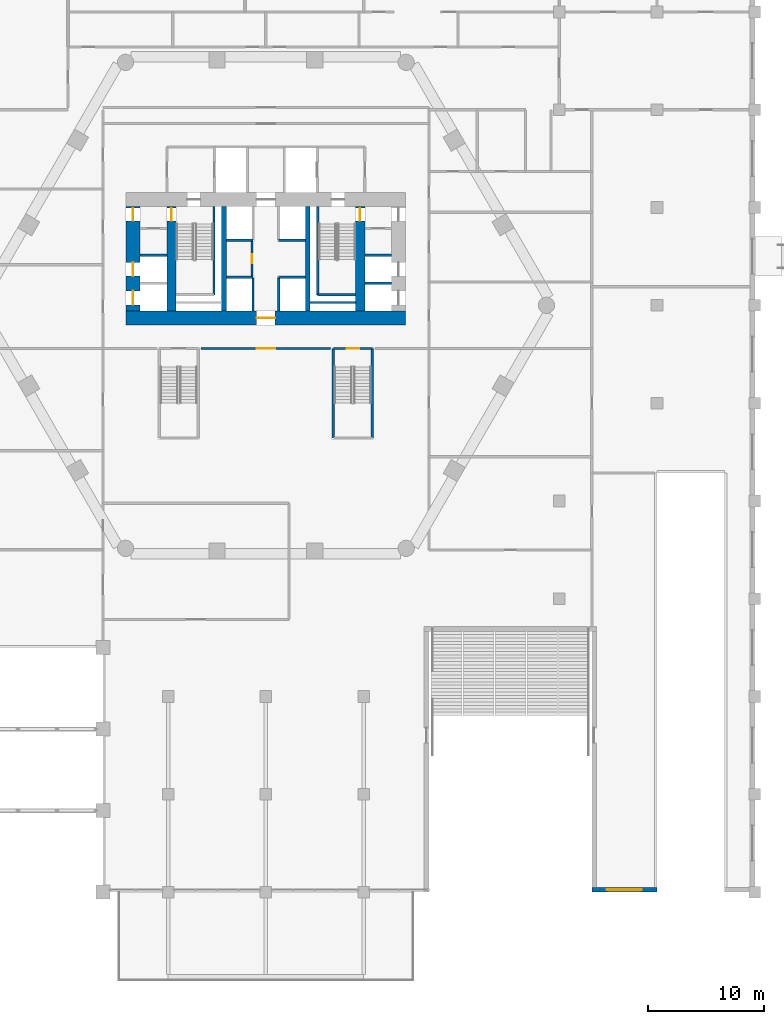
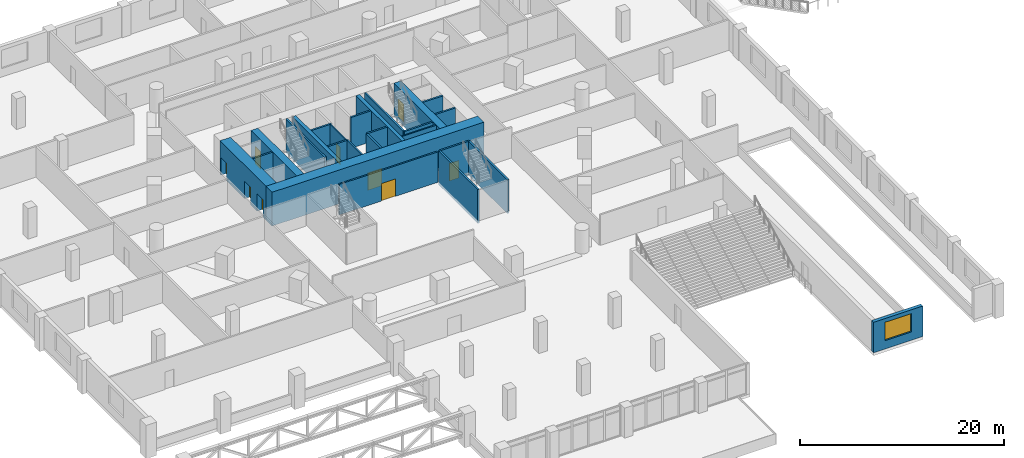
# One storey, part 13 of 24: 25 walls, 9 doors, 1 window, 10 openings.
"""IFC4 building model written with IfcOpenShell, lengths in metres."""

import ifcopenshell
import ifcopenshell.guid

model = None  # the IFC model being written
_history = None  # IfcOwnerHistory: only IFC2X3 demands one
_inside = {}  # id of a spatial element -> (the spatial element, [elements in it])
_under = {}  # id of a project, library or spatial element -> (it, [spatial elements below it])
_declared = {}  # id of a project -> (the project, [libraries it declares])
_typed = {}  # id of a type object -> (the type object, [elements of that type])
_made_of = {}  # id of a material, layer set ... -> (it, [elements and type objects made of it])


def new_model(schema):
    """Start an empty IFC model of exactly this schema.

    Asked for "IFC4X3", IfcOpenShell would pick the latest addendum, in which some entities
    have other attributes; the version numbers below select the first issue.
    IFC2X3 requires an IfcOwnerHistory on every rooted entity: one is made here for all.
    """
    global model, _history
    if schema == "IFC4X3":
        model = ifcopenshell.file(schema_version=(4, 3, 0, 0))
    else:
        model = ifcopenshell.file(schema=schema)
    _inside.clear()
    _under.clear()
    _declared.clear()
    _typed.clear()
    _made_of.clear()
    _history = None
    if model.schema == "IFC2X3":
        org = make("IfcOrganization", Name="unknown")
        user = make(
            "IfcPersonAndOrganization",
            ThePerson=make("IfcPerson", FamilyName="unknown"),
            TheOrganization=org,
        )
        app = make(
            "IfcApplication",
            ApplicationDeveloper=org,
            Version="unknown",
            ApplicationFullName="unknown",
            ApplicationIdentifier="unknown",
        )
        _history = make(
            "IfcOwnerHistory",
            OwningUser=user,
            OwningApplication=app,
            ChangeAction="ADDED",
            CreationDate=0,
        )
    return model


def make(cls, **values):
    """One entity of the class cls with the attributes given. An attribute that is None is left unset."""
    return model.create_entity(
        cls, **{name: value for name, value in values.items() if value is not None}
    )


def rooted(cls, **values):
    """An entity with a GlobalId (a new one), such as an element, a storey or a relation."""
    return make(cls, GlobalId=ifcopenshell.guid.new(), OwnerHistory=_history, **values)


def si_unit(unit_type, name, prefix=None):
    """IfcSIUnit, for example si_unit("LENGTHUNIT", "METRE", prefix="MILLI")."""
    return make("IfcSIUnit", UnitType=unit_type, Prefix=prefix, Name=name)


def assignment(units):
    """IfcUnitAssignment: the units of a project."""
    return None if units is None else make("IfcUnitAssignment", Units=units)


def point(xyz):
    """IfcCartesianPoint."""
    return None if xyz is None else make("IfcCartesianPoint", Coordinates=xyz)


def direction(xyz):
    """IfcDirection."""
    return None if xyz is None else make("IfcDirection", DirectionRatios=xyz)


def frame(location, z_axis=None, x_axis=None):
    """IfcAxis2Placement3D, a coordinate frame: its origin and axes. An axis left out is left unset."""
    return make(
        "IfcAxis2Placement3D",
        Location=point(location),
        Axis=direction(z_axis),
        RefDirection=direction(x_axis),
    )


def frame_2d(location, x_axis=None):
    """IfcAxis2Placement2D, a coordinate frame in the plane: its origin and x axis."""
    return make(
        "IfcAxis2Placement2D", Location=point(location), RefDirection=direction(x_axis)
    )


def origin():
    """The frame at (0, 0, 0) with its axes left unset."""
    return frame((0.0, 0.0, 0.0))


def place(relative_to, where):
    """IfcLocalPlacement: puts the frame where relative to a parent placement (None: the world)."""
    return make(
        "IfcLocalPlacement", PlacementRelTo=relative_to, RelativePlacement=where
    )


def context(
    kind, dimensions, precision=None, world=None, true_north=None, identifier=None
):
    """IfcGeometricRepresentationContext, for example the 3D "Model" context."""
    return make(
        "IfcGeometricRepresentationContext",
        ContextIdentifier=identifier,
        ContextType=kind,
        CoordinateSpaceDimension=dimensions,
        Precision=precision,
        WorldCoordinateSystem=world,
        TrueNorth=true_north,
    )


def subcontext(parent, identifier, kind, view, scale=None):
    """IfcGeometricRepresentationSubContext, for example "Body" below "Model"."""
    return make(
        "IfcGeometricRepresentationSubContext",
        ContextIdentifier=identifier,
        ContextType=kind,
        ParentContext=parent,
        TargetScale=scale,
        TargetView=view,
    )


def project(units=None, contexts=None):
    """IfcProject with its units and contexts."""
    return rooted(
        "IfcProject",
        Name="project",
        RepresentationContexts=contexts,
        UnitsInContext=assignment(units),
    )


def spatial(cls, under=None, at=None, **own):
    """A site, building, storey or space (cls), placed at a placement, below another one or the project."""
    s = rooted(cls, ObjectPlacement=at, **own)
    if under is not None:
        _under.setdefault(under.id(), (under, []))[1].append(s)
    return s


def profile(cls, at=None, kind="AREA", **sizes):
    """A parametric profile (cls). Its sizes go by their IFC names, for example OverallWidth=200.0."""
    return make(cls, ProfileType=kind, Position=at, **sizes)


def rectangle(**sizes):
    """IfcRectangleProfileDef."""
    return profile("IfcRectangleProfileDef", **sizes)


def extrude(swept, where, along, depth):
    """IfcExtrudedAreaSolid: the profile swept, set in the frame where, extruded along a direction by depth."""
    return make(
        "IfcExtrudedAreaSolid",
        SweptArea=swept,
        Position=where,
        ExtrudedDirection=direction(along),
        Depth=depth,
    )


def shape(context_of_items, identifier, shape_type, items):
    """IfcShapeRepresentation: the items that make up one representation, for example the "Body"."""
    return make(
        "IfcShapeRepresentation",
        ContextOfItems=context_of_items,
        RepresentationIdentifier=identifier,
        RepresentationType=shape_type,
        Items=items,
    )


def material(Name=None, Category=None):
    """IfcMaterial."""
    return make("IfcMaterial", Name=Name, Category=Category)


def layer(
    of_material, thickness, ventilated=None, Name=None, Category=None, Priority=None
):
    """IfcMaterialLayer: one layer of a wall or slab, of a material (None: an air gap)."""
    return make(
        "IfcMaterialLayer",
        Material=of_material,
        LayerThickness=thickness,
        IsVentilated=ventilated,
        Name=Name,
        Category=Category,
        Priority=Priority,
    )


def layer_set(layers, Name=None):
    """IfcMaterialLayerSet."""
    return make("IfcMaterialLayerSet", MaterialLayers=layers, LayerSetName=Name)


def made_of(thing, what):
    """Note that an element or type object is made of a material, layer set ...; save() writes the relation."""
    if what is not None:
        _made_of.setdefault(what.id(), (what, []))[1].append(thing)
    return thing


def type_object(cls, material=None, **own):
    """A type object (cls), such as IfcWallType, which elements share."""
    return made_of(rooted(cls, **own), material)


def element(
    cls,
    number,
    at=None,
    inside=None,
    cuts=None,
    type_object=None,
    material=None,
    context=None,
    identifier="Body",
    shape_type=None,
    held_by="IfcProductDefinitionShape",
    body=None,
    shapes=None,
    **own,
):
    """One element of the class cls, such as IfcWall. Its Tag is "e" and its number.

    at: its placement. inside: the storey or other place that contains it. cuts: it is an
    opening in that element (IfcRelVoidsElement). A single representation is given by context,
    identifier, shape_type and body (its items); several are given by shapes. held_by: the class
    of the entity that holds the representations. save() writes the other relations.
    """
    e = rooted(cls, Tag="e%d" % number, ObjectPlacement=at, **own)
    if body is not None:
        shapes = [shape(context, identifier, shape_type, body)]
    if shapes is not None:
        e.Representation = make(held_by, Representations=shapes)
    if inside is not None:
        _inside.setdefault(inside.id(), (inside, []))[1].append(e)
    if cuts is not None:
        rooted(
            "IfcRelVoidsElement", RelatingBuildingElement=cuts, RelatedOpeningElement=e
        )
    if type_object is not None:
        _typed.setdefault(type_object.id(), (type_object, []))[1].append(e)
    return made_of(e, material)


def fill(opening, filler):
    """IfcRelFillsElement: the door or window that sits in an opening."""
    return rooted(
        "IfcRelFillsElement",
        RelatingOpeningElement=opening,
        RelatedBuildingElement=filler,
    )


def aggregate(whole, parts):
    """IfcRelAggregates: a whole, such as a stair, and the parts it consists of."""
    return rooted("IfcRelAggregates", RelatingObject=whole, RelatedObjects=parts)


def save(model, path):
    """Write the relations noted so far, then the file.

    IfcRelAggregates (storeys below a building ...), IfcRelContainedInSpatialStructure (elements
    in a storey), IfcRelDefinesByType, IfcRelAssociatesMaterial and IfcRelDeclares: one each for
    every whole, place, type object, material and project.
    """
    for whole, parts in _under.values():
        aggregate(whole, parts)
    for where, things in _inside.values():
        rooted(
            "IfcRelContainedInSpatialStructure",
            RelatedElements=things,
            RelatingStructure=where,
        )
    for kind, things in _typed.values():
        rooted("IfcRelDefinesByType", RelatedObjects=things, RelatingType=kind)
    for what, things in _made_of.values():
        rooted("IfcRelAssociatesMaterial", RelatedObjects=things, RelatingMaterial=what)
    for by, libraries in _declared.values():
        rooted("IfcRelDeclares", RelatingContext=by, RelatedDefinitions=libraries)
    model.write(path)


model = new_model("IFC4")

# Units and contexts
model_context = context("Model", 3, precision=1e-05, world=origin(), true_north=direction((0.0, 1.0)))
body_context = subcontext(model_context, "Body", "Model", "MODEL_VIEW")
ifc_project = project(units=[si_unit("LENGTHUNIT", "METRE"), si_unit("AREAUNIT", "SQUARE_METRE"), si_unit("VOLUMEUNIT", "CUBIC_METRE"), si_unit("PLANEANGLEUNIT", "RADIAN"), si_unit("MASSUNIT", "GRAM", prefix="KILO")], contexts=[model_context])

# Site, building, storey
site_placement = place(None, origin())
site = spatial("IfcSite", under=ifc_project, at=site_placement, CompositionType="ELEMENT")
building_placement = place(site_placement, origin())
building = spatial("IfcBuilding", under=site, at=building_placement, Name="Ostrander Bayou Hotel Tower", CompositionType="ELEMENT")
storey_placement = place(building_placement, frame((0.0, 0.0, 6.0)))
storey = spatial("IfcBuildingStorey", under=building, at=storey_placement, Name="L01", CompositionType="ELEMENT", Elevation=6.0)

# Wall, opening, door
ifc_material_1 = material(Name="Concrete f'c 70 MPa", Category="concrete")
ifc_layer_1 = layer(ifc_material_1, 1.199951171875)
ifc_layer_set_1 = layer_set([ifc_layer_1], Name="CW1 core wall 1200 mm f'c 70 MPa")
wall_type_1 = type_object("IfcWallType", Name="CW1 core wall 1200 mm f'c 70 MPa", PredefinedType="SHEAR", material=ifc_layer_set_1)
wall_1_placement = place(storey_placement, frame((-12.0, -1.10009765625, -0.35009765625), z_axis=(0.0, 0.0, 1.0), x_axis=(1.0, 0.0, 0.0)))
wall_1 = element("IfcWall", 1, at=wall_1_placement, inside=storey, type_object=wall_type_1, Name="CW1 L01 S", PredefinedType="SHEAR", context=body_context, shape_type="SweptSolid", body=[
    extrude(rectangle(XDim=24.0, YDim=1.199951171875, at=frame_2d((12.0, 0.0))), origin(), (0.0, 0.0, 1.0), 4.050048828125),
])
opening_1_placement = place(wall_1_placement, frame((11.199951171875, 0.0, 0.0)))
opening_1 = element("IfcOpeningElement", 2, at=opening_1_placement, cuts=wall_1, Name="Opening T01-001", PredefinedType="OPENING", context=body_context, shape_type="SweptSolid", body=[
    extrude(rectangle(XDim=1.60009765625, YDim=2.10009765625, at=frame_2d((0.800048828125, 1.050048828125))), frame((0.0, 0.60009765625, 0.0), z_axis=(0.0, -1.0, 0.0), x_axis=(1.0, 0.0, 0.0)), (0.0, 0.0, 1.0), 1.199951171875),
])
ifc_material_2 = material(Name="Timber door leaf", Category="wood")
door_type_1 = type_object("IfcDoorType", Name="D13 double door 1600 x 2100 mm, 1 hour", OperationType="SINGLE_SWING_LEFT", PredefinedType="DOOR", material=ifc_material_2)
door_1_placement = place(opening_1_placement, origin())
door_1 = element("IfcDoor", 3, at=door_1_placement, inside=storey, type_object=door_type_1, Name="dr:L01:001", OperationType="DOUBLE_DOOR_SINGLE_SWING", OverallHeight=2.10009765625, OverallWidth=1.60009765625, PredefinedType="DOOR", context=body_context, shape_type="SweptSolid", body=[
    extrude(rectangle(XDim=1.60009765625, YDim=2.10009765625, at=frame_2d((0.800048828125, 1.050048828125))), frame((0.0, 0.02490234375, 0.0), z_axis=(0.0, -1.0, 0.0), x_axis=(1.0, 0.0, 0.0)), (0.0, 0.0, 1.0), 0.050048828125),
])
fill(opening_1, door_1)

# Wall, openings, doors
wall_2_placement = place(storey_placement, frame((-11.39990234375, -0.5, -0.35009765625), z_axis=(0.0, 0.0, 1.0), x_axis=(0.0, 1.0, 0.0)))
wall_2 = element("IfcWall", 4, at=wall_2_placement, inside=storey, type_object=wall_type_1, Name="CW1 L01 RW", PredefinedType="SHEAR", context=body_context, shape_type="SweptSolid", body=[
    extrude(rectangle(XDim=9.0, YDim=1.199951171875, at=frame_2d((4.5, 0.0))), origin(), (0.0, 0.0, 1.0), 4.050048828125),
])
opening_2_placement = place(wall_2_placement, frame((7.75, 0.0, 0.0)))
opening_2 = element("IfcOpeningElement", 5, at=opening_2_placement, cuts=wall_2, Name="Opening T01-015", PredefinedType="OPENING", context=body_context, shape_type="SweptSolid", body=[
    extrude(rectangle(XDim=1.10009765625, YDim=2.10009765625, at=frame_2d((0.550048828125, 1.050048828125))), frame((0.0, 0.60009765625, 0.0), z_axis=(0.0, -1.0, 0.0), x_axis=(1.0, 0.0, 0.0)), (0.0, 0.0, 1.0), 1.199951171875),
])
opening_3_placement = place(wall_2_placement, frame((0.550048828125, 0.0, 0.0)))
opening_3 = element("IfcOpeningElement", 6, at=opening_3_placement, cuts=wall_2, Name="Opening T01-016", PredefinedType="OPENING", context=body_context, shape_type="SweptSolid", body=[
    extrude(rectangle(XDim=1.199951171875, YDim=2.10009765625, at=frame_2d((0.60009765625, 1.050048828125))), frame((0.0, 0.60009765625, 0.0), z_axis=(0.0, -1.0, 0.0), x_axis=(1.0, 0.0, 0.0)), (0.0, 0.0, 1.0), 1.199951171875),
])
opening_4_placement = place(wall_2_placement, frame((3.0, 0.0, 0.0)))
opening_4 = element("IfcOpeningElement", 7, at=opening_4_placement, cuts=wall_2, Name="Opening T01-017", PredefinedType="OPENING", context=body_context, shape_type="SweptSolid", body=[
    extrude(rectangle(XDim=1.199951171875, YDim=2.10009765625, at=frame_2d((0.60009765625, 1.050048828125))), frame((0.0, 0.60009765625, 0.0), z_axis=(0.0, -1.0, 0.0), x_axis=(1.0, 0.0, 0.0)), (0.0, 0.0, 1.0), 1.199951171875),
])
ifc_material_3 = material(Name="Timber door leaf", Category="wood")
door_type_2 = type_object("IfcDoorType", Name="D5 stair door 1100 x 2100 mm, 90 minute", OperationType="SINGLE_SWING_LEFT", PredefinedType="DOOR", material=ifc_material_3)
door_2_placement = place(opening_2_placement, origin())
door_2 = element("IfcDoor", 8, at=door_2_placement, inside=storey, type_object=door_type_2, Name="dr:L01:015", OperationType="SINGLE_SWING_LEFT", OverallHeight=2.10009765625, OverallWidth=1.10009765625, PredefinedType="DOOR", context=body_context, shape_type="SweptSolid", body=[
    extrude(rectangle(XDim=1.10009765625, YDim=2.10009765625, at=frame_2d((0.550048828125, 1.050048828125))), frame((0.0, 0.02490234375, 0.0), z_axis=(0.0, -1.0, 0.0), x_axis=(1.0, 0.0, 0.0)), (0.0, 0.0, 1.0), 0.050048828125),
])
fill(opening_2, door_2)
ifc_material_4 = material(Name="Stainless steel sliding door", Category="steel")
door_type_3 = type_object("IfcDoorType", Name="LD1 lift landing door 1200 x 2100 mm", OperationType="SINGLE_SWING_LEFT", PredefinedType="DOOR", material=ifc_material_4)
door_3_placement = place(opening_3_placement, origin())
door_3 = element("IfcDoor", 9, at=door_3_placement, inside=storey, type_object=door_type_3, Name="dr:L01:016", OperationType="SLIDING_TO_LEFT", OverallHeight=2.10009765625, OverallWidth=1.199951171875, PredefinedType="DOOR", context=body_context, shape_type="SweptSolid", body=[
    extrude(rectangle(XDim=1.199951171875, YDim=2.10009765625, at=frame_2d((0.60009765625, 1.050048828125))), frame((0.0, 0.02490234375, 0.0), z_axis=(0.0, -1.0, 0.0), x_axis=(1.0, 0.0, 0.0)), (0.0, 0.0, 1.0), 0.050048828125),
])
fill(opening_3, door_3)
door_4_placement = place(opening_4_placement, origin())
door_4 = element("IfcDoor", 10, at=door_4_placement, inside=storey, type_object=door_type_3, Name="dr:L01:017", OperationType="SLIDING_TO_LEFT", OverallHeight=2.10009765625, OverallWidth=1.199951171875, PredefinedType="DOOR", context=body_context, shape_type="SweptSolid", body=[
    extrude(rectangle(XDim=1.199951171875, YDim=2.10009765625, at=frame_2d((0.60009765625, 1.050048828125))), frame((0.0, 0.02490234375, 0.0), z_axis=(0.0, -1.0, 0.0), x_axis=(1.0, 0.0, 0.0)), (0.0, 0.0, 1.0), 0.050048828125),
])
fill(opening_4, door_4)

# Wall, opening, door
ifc_material_5 = material(Name="Concrete f'c 70 MPa", Category="concrete")
ifc_layer_2 = layer(ifc_material_5, 0.800048828125)
ifc_layer_set_2 = layer_set([ifc_layer_2], Name="CW2 core spine wall 800 mm f'c 70 MPa")
wall_type_2 = type_object("IfcWallType", Name="CW2 core spine wall 800 mm f'c 70 MPa", PredefinedType="SHEAR", material=ifc_layer_set_2)
wall_3_placement = place(storey_placement, frame((-8.10009765625, -0.5, -0.35009765625), z_axis=(0.0, 0.0, 1.0), x_axis=(0.0, 1.0, 0.0)))
wall_3 = element("IfcWall", 11, at=wall_3_placement, inside=storey, type_object=wall_type_2, Name="CW2 L01 W", PredefinedType="SHEAR", context=body_context, shape_type="SweptSolid", body=[
    extrude(rectangle(XDim=9.0, YDim=0.800048828125, at=frame_2d((4.5, 0.0))), origin(), (0.0, 0.0, 1.0), 4.050048828125),
])
opening_5_placement = place(wall_3_placement, frame((7.75, 0.0, 0.0)))
opening_5 = element("IfcOpeningElement", 12, at=opening_5_placement, cuts=wall_3, Name="Opening T01-004", PredefinedType="OPENING", context=body_context, shape_type="SweptSolid", body=[
    extrude(rectangle(XDim=1.10009765625, YDim=2.10009765625, at=frame_2d((0.550048828125, 1.050048828125))), frame((0.0, 0.39990234375, 0.0), z_axis=(0.0, -1.0, 0.0), x_axis=(1.0, 0.0, 0.0)), (0.0, 0.0, 1.0), 0.800048828125),
])
door_5_placement = place(opening_5_placement, origin())
door_5 = element("IfcDoor", 13, at=door_5_placement, inside=storey, type_object=door_type_2, Name="dr:L01:004", OperationType="SINGLE_SWING_RIGHT", OverallHeight=2.10009765625, OverallWidth=1.10009765625, PredefinedType="DOOR", context=body_context, shape_type="SweptSolid", body=[
    extrude(rectangle(XDim=1.10009765625, YDim=2.10009765625, at=frame_2d((0.550048828125, 1.050048828125))), frame((0.0, 0.02490234375, 0.0), z_axis=(0.0, -1.0, 0.0), x_axis=(1.0, 0.0, 0.0)), (0.0, 0.0, 1.0), 0.050048828125),
])
fill(opening_5, door_5)

wall_4_placement = place(storey_placement, frame((8.10009765625, -0.5, -0.35009765625), z_axis=(0.0, 0.0, 1.0), x_axis=(0.0, 1.0, 0.0)))
wall_4 = element("IfcWall", 14, at=wall_4_placement, inside=storey, type_object=wall_type_2, Name="CW2 L01 E", PredefinedType="SHEAR", context=body_context, shape_type="SweptSolid", body=[
    extrude(rectangle(XDim=9.0, YDim=0.800048828125, at=frame_2d((4.5, 0.0))), origin(), (0.0, 0.0, 1.0), 4.050048828125),
])
opening_6_placement = place(wall_4_placement, frame((7.75, 0.0, 0.0)))
opening_6 = element("IfcOpeningElement", 15, at=opening_6_placement, cuts=wall_4, Name="Opening T01-006", PredefinedType="OPENING", context=body_context, shape_type="SweptSolid", body=[
    extrude(rectangle(XDim=1.10009765625, YDim=2.10009765625, at=frame_2d((0.550048828125, 1.050048828125))), frame((0.0, 0.39990234375, 0.0), z_axis=(0.0, -1.0, 0.0), x_axis=(1.0, 0.0, 0.0)), (0.0, 0.0, 1.0), 0.800048828125),
])
door_6_placement = place(opening_6_placement, origin())
door_6 = element("IfcDoor", 16, at=door_6_placement, inside=storey, type_object=door_type_2, Name="dr:L01:006", OperationType="SINGLE_SWING_LEFT", OverallHeight=2.10009765625, OverallWidth=1.10009765625, PredefinedType="DOOR", context=body_context, shape_type="SweptSolid", body=[
    extrude(rectangle(XDim=1.10009765625, YDim=2.10009765625, at=frame_2d((0.550048828125, 1.050048828125))), frame((0.0, 0.02490234375, 0.0), z_axis=(0.0, -1.0, 0.0), x_axis=(1.0, 0.0, 0.0)), (0.0, 0.0, 1.0), 0.050048828125),
])
fill(opening_6, door_6)

# Walls
ifc_material_6 = material(Name="Concrete f'c 70 MPa", Category="concrete")
ifc_layer_3 = layer(ifc_material_6, 0.39990234375)
ifc_layer_set_3 = layer_set([ifc_layer_3], Name="CW3 core bank wall 400 mm f'c 70 MPa")
wall_type_3 = type_object("IfcWallType", Name="CW3 core bank wall 400 mm f'c 70 MPa", PredefinedType="SHEAR", material=ifc_layer_set_3)
for number, where, z_axis, x_axis, name in (
    (17, (-3.60009765625, -0.5, -0.35009765625), (0.0, 0.0, 1.0), (0.0, 1.0, 0.0), "CW3 L01 CW"),
    (18, (3.60009765625, -0.5, -0.35009765625), (0.0, 0.0, 1.0), (0.0, 1.0, 0.0), "CW3 L01 CE"),
):
    element("IfcWall", number, at=place(storey_placement, frame(where, z_axis=z_axis, x_axis=x_axis)), inside=storey, type_object=wall_type_3, Name=name, PredefinedType="SHEAR", context=body_context, shape_type="SweptSolid", body=[
        extrude(rectangle(XDim=9.0, YDim=0.39990234375, at=frame_2d((4.5, 0.0))), origin(), (0.0, 0.0, 1.0), 4.050048828125),
    ])

# Wall, opening, door
ifc_material_7 = material(Name="Gypsum board partition", Category="finish")
ifc_layer_4 = layer(ifc_material_7, 0.175048828125)
ifc_layer_set_4 = layer_set([ifc_layer_4], Name="PT4 corridor wall 175 mm, 1 hour")
wall_type_4 = type_object("IfcWallType", Name="PT4 corridor wall 175 mm, 1 hour", PredefinedType="PARTITIONING", material=ifc_layer_set_4)
wall_5_placement = place(storey_placement, frame((-5.570068359375, -3.699951171875, 0.0), z_axis=(0.0, 0.0, 1.0), x_axis=(1.0, 0.0, 0.0)))
wall_5 = element("IfcWall", 19, at=wall_5_placement, inside=storey, type_object=wall_type_4, Name="sw:L01:006", PredefinedType="PARTITIONING", context=body_context, shape_type="SweptSolid", body=[
    extrude(rectangle(XDim=11.14013671875, YDim=0.175048828125, at=frame_2d((5.570068359375, 0.0))), origin(), (0.0, 0.0, 1.0), 3.64990234375),
])
opening_7_placement = place(wall_5_placement, frame((4.77001953125, 0.0, 0.0)))
opening_7 = element("IfcOpeningElement", 20, at=opening_7_placement, cuts=wall_5, Name="Opening T01-209", PredefinedType="OPENING", context=body_context, shape_type="SweptSolid", body=[
    extrude(rectangle(XDim=1.60009765625, YDim=2.10009765625, at=frame_2d((0.800048828125, 1.050048828125))), frame((0.0, 0.08740234375, 0.0), z_axis=(0.0, -1.0, 0.0), x_axis=(1.0, 0.0, 0.0)), (0.0, 0.0, 1.0), 0.175048828125),
])
door_7_placement = place(opening_7_placement, origin())
door_7 = element("IfcDoor", 21, at=door_7_placement, inside=storey, type_object=door_type_1, Name="dr:L01:209", OperationType="DOUBLE_DOOR_SINGLE_SWING", OverallHeight=2.10009765625, OverallWidth=1.60009765625, PredefinedType="DOOR", context=body_context, shape_type="SweptSolid", body=[
    extrude(rectangle(XDim=1.60009765625, YDim=2.10009765625, at=frame_2d((0.800048828125, 1.050048828125))), frame((0.0, 0.02490234375, 0.0), z_axis=(0.0, -1.0, 0.0), x_axis=(1.0, 0.0, 0.0)), (0.0, 0.0, 1.0), 0.050048828125),
])
fill(opening_7, door_7)

# Walls
ifc_material_8 = material(Name="Masonry block", Category="masonry")
ifc_layer_5 = layer(ifc_material_8, 0.199951171875)
ifc_layer_set_5 = layer_set([ifc_layer_5], Name="PT6 lift shaft wall 200 mm masonry, 2 hour")
wall_type_5 = type_object("IfcWallType", Name="PT6 lift shaft wall 200 mm masonry, 2 hour", PredefinedType="PARTITIONING", material=ifc_layer_set_5)
for number, where, z_axis, x_axis, name in (
    (22, (-3.39990234375, 2.39990234375, 0.0), (0.0, 0.0, 1.0), (1.0, 0.0, 0.0), "cs:L01:001"),
    (23, (-3.39990234375, 5.60009765625, 0.0), (0.0, 0.0, 1.0), (1.0, 0.0, 0.0), "cs:L01:002"),
    (24, (1.10009765625, 2.39990234375, 0.0), (0.0, 0.0, 1.0), (1.0, 0.0, 0.0), "cs:L01:003"),
    (25, (1.10009765625, 5.60009765625, 0.0), (0.0, 0.0, 1.0), (1.0, 0.0, 0.0), "cs:L01:004"),
):
    element("IfcWall", number, at=place(storey_placement, frame(where, z_axis=z_axis, x_axis=x_axis)), inside=storey, type_object=wall_type_5, Name=name, PredefinedType="PARTITIONING", context=body_context, shape_type="SweptSolid", body=[
        extrude(rectangle(XDim=2.2998046875, YDim=0.199951171875, at=frame_2d((1.14990234375, 0.0))), origin(), (0.0, 0.0, 1.0), 3.699951171875),
    ])
for number, where, z_axis, x_axis, name in (
    (26, (-1.10009765625, -0.5, 0.0), (0.0, 0.0, 1.0), (0.0, 1.0, 0.0), "cs:L01:005"),
    (27, (1.10009765625, -0.5, 0.0), (0.0, 0.0, 1.0), (0.0, 1.0, 0.0), "cs:L01:006"),
):
    element("IfcWall", number, at=place(storey_placement, frame(where, z_axis=z_axis, x_axis=x_axis)), inside=storey, type_object=wall_type_5, Name=name, PredefinedType="PARTITIONING", context=body_context, shape_type="SweptSolid", body=[
        extrude(rectangle(XDim=2.89990234375, YDim=0.199951171875, at=frame_2d((1.449951171875, 0.0))), origin(), (0.0, 0.0, 1.0), 3.699951171875),
    ])
for number, where, z_axis, x_axis, name in (
    (28, (-10.800048828125, 4.300048828125, 0.0), (0.0, 0.0, 1.0), (1.0, 0.0, 0.0), "cs:L01:032"),
    (29, (8.5, 1.89990234375, 0.0), (0.0, 0.0, 1.0), (1.0, 0.0, 0.0), "cs:L01:034"),
    (30, (8.5, 4.300048828125, 0.0), (0.0, 0.0, 1.0), (1.0, 0.0, 0.0), "cs:L01:035"),
):
    element("IfcWall", number, at=place(storey_placement, frame(where, z_axis=z_axis, x_axis=x_axis)), inside=storey, type_object=wall_type_5, Name=name, PredefinedType="PARTITIONING", context=body_context, shape_type="SweptSolid", body=[
        extrude(rectangle(XDim=2.300048828125, YDim=0.199951171875, at=frame_2d((1.14990234375, 0.0))), origin(), (0.0, 0.0, 1.0), 3.699951171875),
    ])
ifc_material_9 = material(Name="Gypsum board partition", Category="finish")
ifc_layer_6 = layer(ifc_material_9, 0.14990234375)
ifc_layer_set_6 = layer_set([ifc_layer_6], Name="PT7 riser wall 150 mm, 2 hour")
wall_type_6 = type_object("IfcWallType", Name="PT7 riser wall 150 mm, 2 hour", PredefinedType="PARTITIONING", material=ifc_layer_set_6)
wall_6_placement = place(storey_placement, frame((3.800048828125, 0.25, 0.0), z_axis=(0.0, 0.0, 1.0), x_axis=(1.0, 0.0, 0.0)))
element("IfcWall", 31, at=wall_6_placement, inside=storey, type_object=wall_type_6, Name="cs:L01:014", PredefinedType="PARTITIONING", context=body_context, shape_type="SweptSolid", body=[
    extrude(rectangle(XDim=3.89990234375, YDim=0.14990234375, at=frame_2d((1.949951171875, 0.0))), origin(), (0.0, 0.0, 1.0), 3.699951171875),
])

# Wall, opening, door
wall_7_placement = place(storey_placement, frame((-1.199951171875, 2.5, 0.0), z_axis=(0.0, 0.0, 1.0), x_axis=(0.0, 1.0, 0.0)))
wall_7 = element("IfcWall", 32, at=wall_7_placement, inside=storey, type_object=wall_type_6, Name="cs:L01:030", PredefinedType="PARTITIONING", context=body_context, shape_type="SweptSolid", body=[
    extrude(rectangle(XDim=3.0, YDim=0.14990234375, at=frame_2d((1.5, 0.0))), origin(), (0.0, 0.0, 1.0), 3.699951171875),
])
opening_8_placement = place(wall_7_placement, frame((1.10009765625, 0.0, 0.0)))
opening_8 = element("IfcOpeningElement", 33, at=opening_8_placement, cuts=wall_7, Name="Opening T01-013", PredefinedType="OPENING", context=body_context, shape_type="SweptSolid", body=[
    extrude(rectangle(XDim=0.800048828125, YDim=2.10009765625, at=frame_2d((0.39990234375, 1.050048828125))), frame((0.0, 0.074951171875, 0.0), z_axis=(0.0, -1.0, 0.0), x_axis=(1.0, 0.0, 0.0)), (0.0, 0.0, 1.0), 0.14990234375),
])
ifc_material_10 = material(Name="Timber door leaf", Category="wood")
door_type_4 = type_object("IfcDoorType", Name="D6 riser door 800 x 2100 mm, 90 minute", OperationType="SINGLE_SWING_LEFT", PredefinedType="DOOR", material=ifc_material_10)
door_8_placement = place(opening_8_placement, origin())
door_8 = element("IfcDoor", 34, at=door_8_placement, inside=storey, type_object=door_type_4, Name="dr:L01:013", OperationType="SINGLE_SWING_LEFT", OverallHeight=2.10009765625, OverallWidth=0.800048828125, PredefinedType="DOOR", context=body_context, shape_type="SweptSolid", body=[
    extrude(rectangle(XDim=0.800048828125, YDim=2.10009765625, at=frame_2d((0.39990234375, 1.050048828125))), frame((0.0, 0.02490234375, 0.0), z_axis=(0.0, -1.0, 0.0), x_axis=(1.0, 0.0, 0.0)), (0.0, 0.0, 1.0), 0.050048828125),
])
fill(opening_8, door_8)

# Wall, opening, window
ifc_material_11 = material(Name="Reconstituted stone on masonry backing", Category="masonry")
ifc_layer_7 = layer(ifc_material_11, 0.39990234375)
ifc_layer_set_7 = layer_set([ifc_layer_7], Name="PW1 stone cladding wall 400 mm")
wall_type_7 = type_object("IfcWallType", Name="PW1 stone cladding wall 400 mm", PredefinedType="SOLIDWALL", material=ifc_layer_set_7)
wall_8_placement = place(storey_placement, frame((33.60009765625, -50.199951171875, 0.0), z_axis=(0.0, 0.0, 1.0), x_axis=(-1.0, 0.0, 0.0)))
wall_8 = element("IfcWall", 35, at=wall_8_placement, inside=storey, type_object=wall_type_7, Name="pw:L01:1", PredefinedType="SOLIDWALL", context=body_context, shape_type="SweptSolid", body=[
    extrude(rectangle(XDim=5.60009765625, YDim=0.39990234375, at=frame_2d((2.800048828125, 0.0))), origin(), (0.0, 0.0, 1.0), 3.64990234375),
])
opening_9_placement = place(wall_8_placement, frame((1.300048828125, 0.0, 1.0)))
opening_9 = element("IfcOpeningElement", 36, at=opening_9_placement, cuts=wall_8, Name="Opening W6", PredefinedType="OPENING", context=body_context, shape_type="SweptSolid", body=[
    extrude(rectangle(XDim=3.0, YDim=2.199951171875, at=frame_2d((1.5, 1.10009765625))), frame((0.0, 0.199951171875, 0.0), z_axis=(0.0, -1.0, 0.0), x_axis=(1.0, 0.0, 0.0)), (0.0, 0.0, 1.0), 0.39990234375),
])
ifc_material_12 = material(Name="Aluminium and clear glass", Category="aluminium")
window_type = type_object("IfcWindowType", Name="W6 podium window 3000 mm", PartitioningType="SINGLE_PANEL", PredefinedType="WINDOW", material=ifc_material_12)
window_placement = place(opening_9_placement, origin())
window = element("IfcWindow", 37, at=window_placement, inside=storey, type_object=window_type, Name="W6 L01 1", OverallHeight=2.199951171875, OverallWidth=3.0, PartitioningType="SINGLE_PANEL", PredefinedType="WINDOW", context=body_context, shape_type="SweptSolid", body=[
    extrude(rectangle(XDim=3.0, YDim=2.199951171875, at=frame_2d((1.5, 1.10009765625))), frame((0.0, 0.030029296875, 0.0), z_axis=(0.0, -1.0, 0.0), x_axis=(1.0, 0.0, 0.0)), (0.0, 0.0, 1.0), 0.06005859375),
])
fill(opening_9, window)

# Walls
ifc_material_13 = material(Name="Concrete f'c 45 MPa", Category="concrete")
ifc_layer_8 = layer(ifc_material_13, 0.199951171875)
ifc_layer_set_8 = layer_set([ifc_layer_8], Name="SW5 stair enclosure wall 200 mm f'c 45 MPa")
wall_type_8 = type_object("IfcWallType", Name="SW5 stair enclosure wall 200 mm f'c 45 MPa", PredefinedType="SOLIDWALL", material=ifc_layer_set_8)
for number, where, z_axis, x_axis, name in (
    (38, (-4.449951171875, 0.89990234375, -0.35009765625), (0.0, 0.0, 1.0), (0.0, 1.0, 0.0), "cs:L01:009"),
    (39, (4.449951171875, 0.89990234375, -0.35009765625), (0.0, 0.0, 1.0), (0.0, 1.0, 0.0), "cs:L01:012"),
):
    element("IfcWall", number, at=place(storey_placement, frame(where, z_axis=z_axis, x_axis=x_axis)), inside=storey, type_object=wall_type_8, Name=name, PredefinedType="SOLIDWALL", context=body_context, shape_type="SweptSolid", body=[
        extrude(rectangle(XDim=7.60009765625, YDim=0.199951171875, at=frame_2d((3.800048828125, 0.0))), origin(), (0.0, 0.0, 1.0), 4.050048828125),
    ])
wall_9_placement = place(storey_placement, frame((4.449951171875, 0.89990234375, -0.35009765625), z_axis=(0.0, 0.0, 1.0), x_axis=(1.0, 0.0, 0.0)))
element("IfcWall", 40, at=wall_9_placement, inside=storey, type_object=wall_type_8, Name="cs:L01:013", PredefinedType="SOLIDWALL", context=body_context, shape_type="SweptSolid", body=[
    extrude(rectangle(XDim=3.25, YDim=0.199951171875, at=frame_2d((1.625, 0.0))), origin(), (0.0, 0.0, 1.0), 4.050048828125),
])

# Wall, opening, door
wall_10_placement = place(storey_placement, frame((5.800048828125, -3.699951171875, -0.35009765625), z_axis=(0.0, 0.0, 1.0), x_axis=(1.0, 0.0, 0.0)))
wall_10 = element("IfcWall", 41, at=wall_10_placement, inside=storey, type_object=wall_type_8, Name="cs:L01:015", PredefinedType="SOLIDWALL", context=body_context, shape_type="SweptSolid", body=[
    extrude(rectangle(XDim=3.349853515625, YDim=0.199951171875, at=frame_2d((1.6748046875, 0.0))), origin(), (0.0, 0.0, 1.0), 4.050048828125),
])
opening_10_placement = place(wall_10_placement, frame((1.125, 0.0, 0.0)))
opening_10 = element("IfcOpeningElement", 42, at=opening_10_placement, cuts=wall_10, Name="Opening T01-007", PredefinedType="OPENING", context=body_context, shape_type="SweptSolid", body=[
    extrude(rectangle(XDim=1.10009765625, YDim=2.10009765625, at=frame_2d((0.550048828125, 1.050048828125))), frame((0.0, 0.10009765625, 0.0), z_axis=(0.0, -1.0, 0.0), x_axis=(1.0, 0.0, 0.0)), (0.0, 0.0, 1.0), 0.199951171875),
])
door_9_placement = place(opening_10_placement, origin())
door_9 = element("IfcDoor", 43, at=door_9_placement, inside=storey, type_object=door_type_2, Name="dr:L01:007", OperationType="SINGLE_SWING_LEFT", OverallHeight=2.10009765625, OverallWidth=1.10009765625, PredefinedType="DOOR", context=body_context, shape_type="SweptSolid", body=[
    extrude(rectangle(XDim=1.10009765625, YDim=2.10009765625, at=frame_2d((0.550048828125, 1.050048828125))), frame((0.0, 0.02490234375, 0.0), z_axis=(0.0, -1.0, 0.0), x_axis=(1.0, 0.0, 0.0)), (0.0, 0.0, 1.0), 0.050048828125),
])
fill(opening_10, door_9)

# Walls
for number, where, z_axis, x_axis, name in (
    (44, (5.800048828125, -3.699951171875, -0.35009765625), (0.0, 0.0, 1.0), (0.0, -1.0, 0.0), "cs:L01:016"),
    (45, (9.14990234375, -3.699951171875, -0.35009765625), (0.0, 0.0, 1.0), (0.0, -1.0, 0.0), "cs:L01:017"),
):
    element("IfcWall", number, at=place(storey_placement, frame(where, z_axis=z_axis, x_axis=x_axis)), inside=storey, type_object=wall_type_8, Name=name, PredefinedType="SOLIDWALL", context=body_context, shape_type="SweptSolid", body=[
        extrude(rectangle(XDim=7.699951171875, YDim=0.199951171875, at=frame_2d((3.85009765625, 0.0))), origin(), (0.0, 0.0, 1.0), 4.050048828125),
    ])

save(model, "model.ifc")
